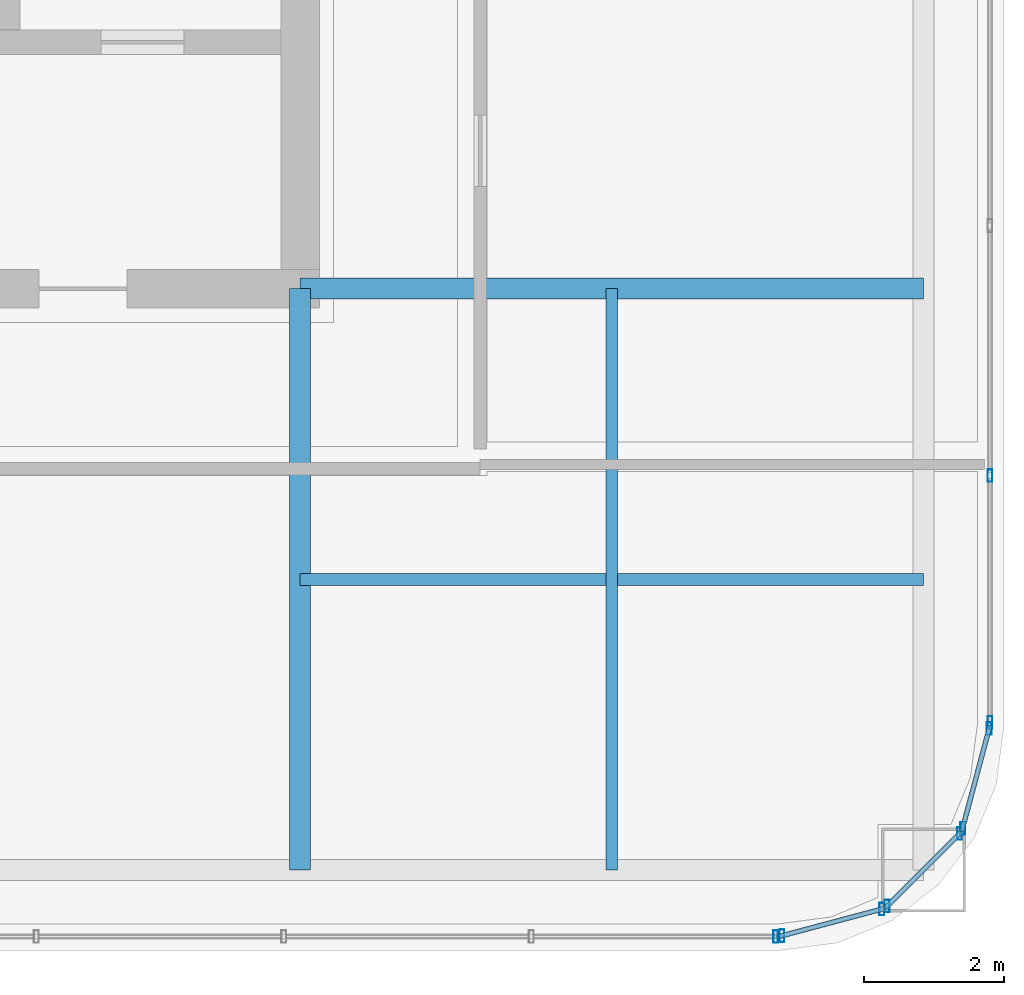
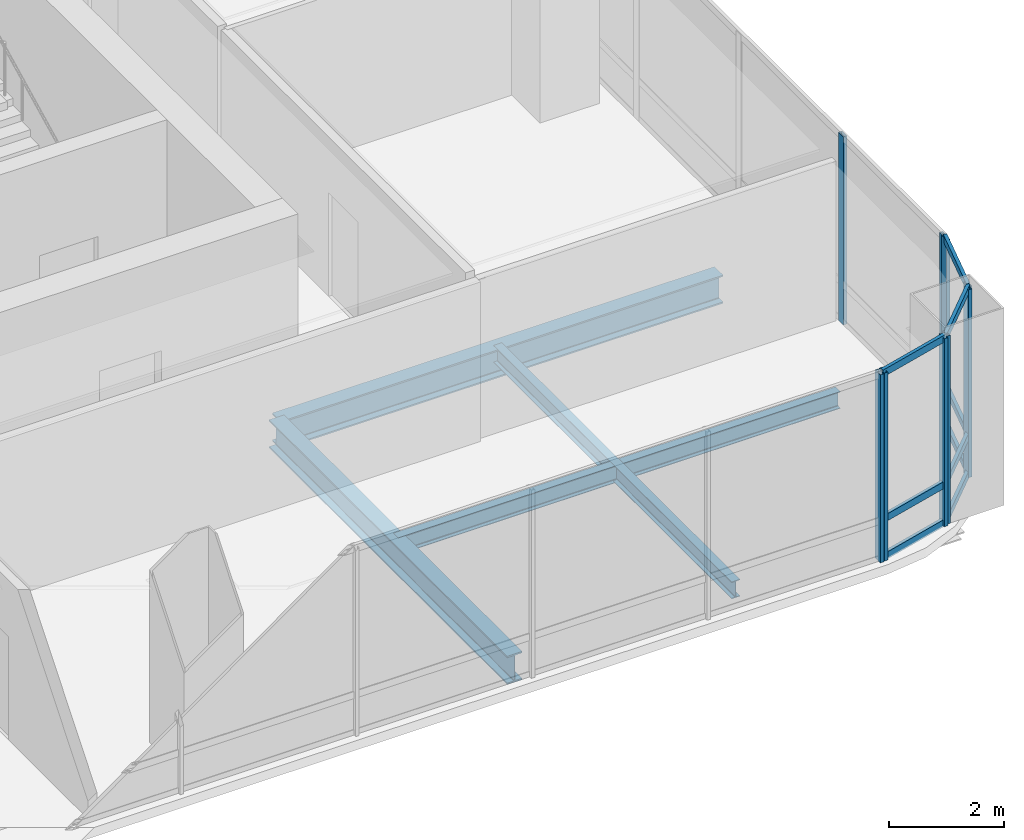
# One storey, part 16 of 41: 18 members, 4 beams, 5 elements without a shape of their own.
"""IFC4 building model written with IfcOpenShell, lengths in metres."""

import ifcopenshell
import ifcopenshell.guid

model = None  # the IFC model being written
_history = None  # IfcOwnerHistory: only IFC2X3 demands one
_inside = {}  # id of a spatial element -> (the spatial element, [elements in it])
_under = {}  # id of a project, library or spatial element -> (it, [spatial elements below it])
_declared = {}  # id of a project -> (the project, [libraries it declares])
_typed = {}  # id of a type object -> (the type object, [elements of that type])
_made_of = {}  # id of a material, layer set ... -> (it, [elements and type objects made of it])


def new_model(schema):
    """Start an empty IFC model of exactly this schema.

    Asked for "IFC4X3", IfcOpenShell would pick the latest addendum, in which some entities
    have other attributes; the version numbers below select the first issue.
    IFC2X3 requires an IfcOwnerHistory on every rooted entity: one is made here for all.
    """
    global model, _history
    if schema == "IFC4X3":
        model = ifcopenshell.file(schema_version=(4, 3, 0, 0))
    else:
        model = ifcopenshell.file(schema=schema)
    _inside.clear()
    _under.clear()
    _declared.clear()
    _typed.clear()
    _made_of.clear()
    _history = None
    if model.schema == "IFC2X3":
        org = make("IfcOrganization", Name="unknown")
        user = make(
            "IfcPersonAndOrganization",
            ThePerson=make("IfcPerson", FamilyName="unknown"),
            TheOrganization=org,
        )
        app = make(
            "IfcApplication",
            ApplicationDeveloper=org,
            Version="unknown",
            ApplicationFullName="unknown",
            ApplicationIdentifier="unknown",
        )
        _history = make(
            "IfcOwnerHistory",
            OwningUser=user,
            OwningApplication=app,
            ChangeAction="ADDED",
            CreationDate=0,
        )
    return model


def make(cls, **values):
    """One entity of the class cls with the attributes given. An attribute that is None is left unset."""
    return model.create_entity(
        cls, **{name: value for name, value in values.items() if value is not None}
    )


def rooted(cls, **values):
    """An entity with a GlobalId (a new one), such as an element, a storey or a relation."""
    return make(cls, GlobalId=ifcopenshell.guid.new(), OwnerHistory=_history, **values)


def si_unit(unit_type, name, prefix=None):
    """IfcSIUnit, for example si_unit("LENGTHUNIT", "METRE", prefix="MILLI")."""
    return make("IfcSIUnit", UnitType=unit_type, Prefix=prefix, Name=name)


def assignment(units):
    """IfcUnitAssignment: the units of a project."""
    return None if units is None else make("IfcUnitAssignment", Units=units)


def point(xyz):
    """IfcCartesianPoint."""
    return None if xyz is None else make("IfcCartesianPoint", Coordinates=xyz)


def direction(xyz):
    """IfcDirection."""
    return None if xyz is None else make("IfcDirection", DirectionRatios=xyz)


def frame(location, z_axis=None, x_axis=None):
    """IfcAxis2Placement3D, a coordinate frame: its origin and axes. An axis left out is left unset."""
    return make(
        "IfcAxis2Placement3D",
        Location=point(location),
        Axis=direction(z_axis),
        RefDirection=direction(x_axis),
    )


def frame_2d(location, x_axis=None):
    """IfcAxis2Placement2D, a coordinate frame in the plane: its origin and x axis."""
    return make(
        "IfcAxis2Placement2D", Location=point(location), RefDirection=direction(x_axis)
    )


def origin():
    """The frame at (0, 0, 0) with its axes left unset."""
    return frame((0.0, 0.0, 0.0))


def origin_2d():
    """The frame at (0, 0) in the plane with its x axis left unset."""
    return frame_2d((0.0, 0.0))


def place(relative_to, where):
    """IfcLocalPlacement: puts the frame where relative to a parent placement (None: the world)."""
    return make(
        "IfcLocalPlacement", PlacementRelTo=relative_to, RelativePlacement=where
    )


def context(
    kind, dimensions, precision=None, world=None, true_north=None, identifier=None
):
    """IfcGeometricRepresentationContext, for example the 3D "Model" context."""
    return make(
        "IfcGeometricRepresentationContext",
        ContextIdentifier=identifier,
        ContextType=kind,
        CoordinateSpaceDimension=dimensions,
        Precision=precision,
        WorldCoordinateSystem=world,
        TrueNorth=true_north,
    )


def subcontext(parent, identifier, kind, view, scale=None):
    """IfcGeometricRepresentationSubContext, for example "Body" below "Model"."""
    return make(
        "IfcGeometricRepresentationSubContext",
        ContextIdentifier=identifier,
        ContextType=kind,
        ParentContext=parent,
        TargetScale=scale,
        TargetView=view,
    )


def project(units=None, contexts=None):
    """IfcProject with its units and contexts."""
    return rooted(
        "IfcProject",
        Name="project",
        RepresentationContexts=contexts,
        UnitsInContext=assignment(units),
    )


def spatial(cls, under=None, at=None, **own):
    """A site, building, storey or space (cls), placed at a placement, below another one or the project."""
    s = rooted(cls, ObjectPlacement=at, **own)
    if under is not None:
        _under.setdefault(under.id(), (under, []))[1].append(s)
    return s


def profile(cls, at=None, kind="AREA", **sizes):
    """A parametric profile (cls). Its sizes go by their IFC names, for example OverallWidth=200.0."""
    return make(cls, ProfileType=kind, Position=at, **sizes)


def hollow_rectangle(**sizes):
    """IfcRectangleHollowProfileDef."""
    return profile("IfcRectangleHollowProfileDef", **sizes)


def i_section(**sizes):
    """IfcIShapeProfileDef."""
    return profile("IfcIShapeProfileDef", **sizes)


def extrude(swept, where, along, depth):
    """IfcExtrudedAreaSolid: the profile swept, set in the frame where, extruded along a direction by depth."""
    return make(
        "IfcExtrudedAreaSolid",
        SweptArea=swept,
        Position=where,
        ExtrudedDirection=direction(along),
        Depth=depth,
    )


def shape(context_of_items, identifier, shape_type, items):
    """IfcShapeRepresentation: the items that make up one representation, for example the "Body"."""
    return make(
        "IfcShapeRepresentation",
        ContextOfItems=context_of_items,
        RepresentationIdentifier=identifier,
        RepresentationType=shape_type,
        Items=items,
    )


def material(Name=None, Category=None):
    """IfcMaterial."""
    return make("IfcMaterial", Name=Name, Category=Category)


def material_profile(
    of_material, cross_section, Name=None, Category=None, Priority=None
):
    """IfcMaterialProfile: a cross section and its material."""
    return make(
        "IfcMaterialProfile",
        Name=Name,
        Material=of_material,
        Profile=cross_section,
        Priority=Priority,
        Category=Category,
    )


def profile_set(profiles, Name=None, composite=None):
    """IfcMaterialProfileSet."""
    return make(
        "IfcMaterialProfileSet",
        Name=Name,
        MaterialProfiles=profiles,
        CompositeProfile=composite,
    )


def made_of(thing, what):
    """Note that an element or type object is made of a material, layer set ...; save() writes the relation."""
    if what is not None:
        _made_of.setdefault(what.id(), (what, []))[1].append(thing)
    return thing


def type_object(cls, material=None, **own):
    """A type object (cls), such as IfcWallType, which elements share."""
    return made_of(rooted(cls, **own), material)


def element(
    cls,
    number,
    at=None,
    inside=None,
    cuts=None,
    type_object=None,
    material=None,
    context=None,
    identifier="Body",
    shape_type=None,
    held_by="IfcProductDefinitionShape",
    body=None,
    shapes=None,
    **own,
):
    """One element of the class cls, such as IfcWall. Its Tag is "e" and its number.

    at: its placement. inside: the storey or other place that contains it. cuts: it is an
    opening in that element (IfcRelVoidsElement). A single representation is given by context,
    identifier, shape_type and body (its items); several are given by shapes. held_by: the class
    of the entity that holds the representations. save() writes the other relations.
    """
    e = rooted(cls, Tag="e%d" % number, ObjectPlacement=at, **own)
    if body is not None:
        shapes = [shape(context, identifier, shape_type, body)]
    if shapes is not None:
        e.Representation = make(held_by, Representations=shapes)
    if inside is not None:
        _inside.setdefault(inside.id(), (inside, []))[1].append(e)
    if cuts is not None:
        rooted(
            "IfcRelVoidsElement", RelatingBuildingElement=cuts, RelatedOpeningElement=e
        )
    if type_object is not None:
        _typed.setdefault(type_object.id(), (type_object, []))[1].append(e)
    return made_of(e, material)


def aggregate(whole, parts):
    """IfcRelAggregates: a whole, such as a stair, and the parts it consists of."""
    return rooted("IfcRelAggregates", RelatingObject=whole, RelatedObjects=parts)


def save(model, path):
    """Write the relations noted so far, then the file.

    IfcRelAggregates (storeys below a building ...), IfcRelContainedInSpatialStructure (elements
    in a storey), IfcRelDefinesByType, IfcRelAssociatesMaterial and IfcRelDeclares: one each for
    every whole, place, type object, material and project.
    """
    for whole, parts in _under.values():
        aggregate(whole, parts)
    for where, things in _inside.values():
        rooted(
            "IfcRelContainedInSpatialStructure",
            RelatedElements=things,
            RelatingStructure=where,
        )
    for kind, things in _typed.values():
        rooted("IfcRelDefinesByType", RelatedObjects=things, RelatingType=kind)
    for what, things in _made_of.values():
        rooted("IfcRelAssociatesMaterial", RelatedObjects=things, RelatingMaterial=what)
    for by, libraries in _declared.values():
        rooted("IfcRelDeclares", RelatingContext=by, RelatedDefinitions=libraries)
    model.write(path)


model = new_model("IFC4")

# Units and contexts
model_context = context("Model", 3, precision=1e-05, world=origin(), true_north=direction((0.0, 1.0)))
body_context = subcontext(model_context, "Body", "Model", "MODEL_VIEW")
ifc_project = project(units=[si_unit("LENGTHUNIT", "METRE"), si_unit("AREAUNIT", "SQUARE_METRE"), si_unit("VOLUMEUNIT", "CUBIC_METRE"), si_unit("PLANEANGLEUNIT", "RADIAN"), si_unit("MASSUNIT", "GRAM", prefix="KILO")], contexts=[model_context])

# Site, building, storey
site_placement = place(None, origin())
site = spatial("IfcSite", under=ifc_project, at=site_placement, CompositionType="ELEMENT")
building_placement = place(site_placement, origin())
building = spatial("IfcBuilding", under=site, at=building_placement, Name="Punatoya Terracotta Tower", CompositionType="ELEMENT")
storey_placement = place(building_placement, frame((0.0, 0.0, 292.199951171875)))
storey = spatial("IfcBuildingStorey", under=building, at=storey_placement, Name="L69", CompositionType="ELEMENT", Elevation=292.199951171875)

# Beams
ifc_material_1 = material(Name="Steel S355", Category="steel")
ifc_material_profile_1 = material_profile(ifc_material_1, i_section(OverallWidth=0.300048828125, OverallDepth=0.60009765625, WebThickness=0.015380859375, FlangeThickness=0.030029296875, FilletRadius=0.01806640625, at=origin_2d()))
ifc_profile_set_1 = profile_set([ifc_material_profile_1], Name="Steel S355")
beam_type_1 = type_object("IfcBeamType", Name="BM-PRI-600", PredefinedType="BEAM", material=ifc_profile_set_1)
beam_1_placement = place(storey_placement, frame((10.199951171875, -9.199951171875, -0.5), z_axis=(1.0, 0.0, 0.0), x_axis=(0.0, 1.0, 0.0)))
element("IfcBeam", 1, at=beam_1_placement, inside=storey, type_object=beam_type_1, Name="BM-L69-PR-ES", PredefinedType="BEAM", context=body_context, shape_type="SweptSolid", body=[
    extrude(i_section(OverallWidth=0.300048828125, OverallDepth=0.60009765625, WebThickness=0.015380859375, FlangeThickness=0.030029296875, FilletRadius=0.01806640625, at=origin_2d()), origin(), (0.0, 0.0, 1.0), 8.900146484375),
])
beam_2_placement = place(storey_placement, frame((10.199951171875, -17.5, -0.5), z_axis=(0.0, 1.0, 0.0), x_axis=(-1.0, 0.0, 0.0)))
element("IfcBeam", 2, at=beam_2_placement, inside=storey, type_object=beam_type_1, Name="BM-L69-PR-S4", PredefinedType="BEAM", context=body_context, shape_type="SweptSolid", body=[
    extrude(i_section(OverallWidth=0.300048828125, OverallDepth=0.60009765625, WebThickness=0.015380859375, FlangeThickness=0.030029296875, FilletRadius=0.01806640625, at=origin_2d()), origin(), (0.0, 0.0, 1.0), 8.300048828125),
])
ifc_material_profile_2 = material_profile(ifc_material_1, i_section(OverallWidth=0.169921875, OverallDepth=0.360107421875, WebThickness=0.008056640625, FlangeThickness=0.0126953125, FilletRadius=0.01806640625, at=origin_2d()))
ifc_profile_set_2 = profile_set([ifc_material_profile_2], Name="Steel S355")
beam_type_2 = type_object("IfcBeamType", Name="BM-SEC-360", PredefinedType="JOIST", material=ifc_profile_set_2)
beam_3_placement = place(storey_placement, frame((10.199951171875, -13.35009765625, -0.3798828125), z_axis=(1.0, 0.0, 0.0), x_axis=(0.0, 1.0, 0.0)))
element("IfcBeam", 3, at=beam_3_placement, inside=storey, type_object=beam_type_2, Name="BM-L69-SJS-2", PredefinedType="JOIST", context=body_context, shape_type="SweptSolid", body=[
    extrude(i_section(OverallWidth=0.169921875, OverallDepth=0.360107421875, WebThickness=0.008056640625, FlangeThickness=0.0126953125, FilletRadius=0.01806640625, at=origin_2d()), origin(), (0.0, 0.0, 1.0), 8.900146484375),
])
beam_4_placement = place(storey_placement, frame((14.64990234375, -17.5, -0.3798828125), z_axis=(0.0, 1.0, 0.0), x_axis=(-1.0, 0.0, 0.0)))
element("IfcBeam", 4, at=beam_4_placement, inside=storey, type_object=beam_type_2, Name="BM-L69-SJE-1", PredefinedType="JOIST", context=body_context, shape_type="SweptSolid", body=[
    extrude(i_section(OverallWidth=0.169921875, OverallDepth=0.360107421875, WebThickness=0.008056640625, FlangeThickness=0.0126953125, FilletRadius=0.01806640625, at=origin_2d()), origin(), (0.0, 0.0, 1.0), 8.300048828125),
])

# Curtain wall, member
ifc_material_2 = material(Name="Aluminium 6063-T6 + Double Low-E Glass", Category="aluminium")
curtain_wall_type = type_object("IfcCurtainWallType", Name="CW-M3", PredefinedType="NOTDEFINED", material=ifc_material_2)
curtain_wall_1_placement = place(storey_placement, origin())
curtain_wall_1 = element("IfcCurtainWall", 5, at=curtain_wall_1_placement, inside=storey, type_object=curtain_wall_type, Name="L69 Curtain Wall CW-L69-S01-1", PredefinedType="NOTDEFINED")
ifc_material_3 = material(Name="Aluminium 6063-T6", Category="aluminium")
ifc_material_profile_3 = material_profile(ifc_material_3, hollow_rectangle(XDim=0.070068359375, YDim=0.179931640625, WallThickness=0.00390625, at=origin_2d()))
ifc_profile_set_3 = profile_set([ifc_material_profile_3], Name="Aluminium 6063-T6")
member_type_1 = type_object("IfcMemberType", Name="CW-MUL-M3", PredefinedType="MULLION", material=ifc_profile_set_3)
member_1_placement = place(storey_placement, frame((16.991943359375, -18.449951171875, 0.0), z_axis=(0.0, 0.0, 1.0), x_axis=(1.0, 0.0, 0.0)))
member_1 = element("IfcMember", 6, at=member_1_placement, type_object=member_type_1, Name="CW-L69-S01-1 Mullion 11", PredefinedType="MULLION", context=body_context, shape_type="SweptSolid", body=[
    extrude(hollow_rectangle(XDim=0.070068359375, YDim=0.179931640625, WallThickness=0.00390625, at=origin_2d()), origin(), (0.0, 0.0, 1.0), 4.0),
])
aggregate(curtain_wall_1, [member_1])

# Curtain wall, members
curtain_wall_2_placement = place(storey_placement, origin())
curtain_wall_2 = element("IfcCurtainWall", 7, at=curtain_wall_2_placement, inside=storey, type_object=curtain_wall_type, Name="L69 Curtain Wall CW-L69-CRN02", PredefinedType="NOTDEFINED")
member_2_placement = place(storey_placement, frame((17.080322265625, -18.4384765625, 0.0), z_axis=(0.0, 0.0, 1.0), x_axis=(1.0, 0.0, 0.0)))
member_2 = element("IfcMember", 8, at=member_2_placement, type_object=member_type_1, Name="CW-L69-CRN02 Mullion 00", PredefinedType="MULLION", context=body_context, shape_type="SweptSolid", body=[
    extrude(hollow_rectangle(XDim=0.070068359375, YDim=0.179931640625, WallThickness=0.00390625, at=origin_2d()), origin(), (0.0, 0.0, 1.0), 4.0),
])
member_3_placement = place(storey_placement, frame((18.505615234375, -18.05810546875, 0.0), z_axis=(0.0, 0.0, 1.0), x_axis=(1.0, 0.0, 0.0)))
member_3 = element("IfcMember", 9, at=member_3_placement, type_object=member_type_1, Name="CW-L69-CRN02 Mullion 01", PredefinedType="MULLION", context=body_context, shape_type="SweptSolid", body=[
    extrude(hollow_rectangle(XDim=0.070068359375, YDim=0.179931640625, WallThickness=0.00390625, at=origin_2d()), origin(), (0.0, 0.0, 1.0), 4.0),
])

curtain_wall_3_placement = place(storey_placement, origin())
curtain_wall_3 = element("IfcCurtainWall", 10, at=curtain_wall_3_placement, inside=storey, type_object=curtain_wall_type, Name="L69 Curtain Wall CW-L69-CRN03", PredefinedType="NOTDEFINED")
member_4_placement = place(storey_placement, frame((18.580810546875, -18.014892578125, 0.0), z_axis=(0.0, 0.0, 1.0), x_axis=(1.0, 0.0, 0.0)))
member_4 = element("IfcMember", 11, at=member_4_placement, type_object=member_type_1, Name="CW-L69-CRN03 Mullion 00", PredefinedType="MULLION", context=body_context, shape_type="SweptSolid", body=[
    extrude(hollow_rectangle(XDim=0.070068359375, YDim=0.179931640625, WallThickness=0.00390625, at=origin_2d()), origin(), (0.0, 0.0, 1.0), 4.0),
])
member_5_placement = place(storey_placement, frame((19.61474609375, -16.98095703125, 0.0), z_axis=(0.0, 0.0, 1.0), x_axis=(1.0, 0.0, 0.0)))
member_5 = element("IfcMember", 12, at=member_5_placement, type_object=member_type_1, Name="CW-L69-CRN03 Mullion 01", PredefinedType="MULLION", context=body_context, shape_type="SweptSolid", body=[
    extrude(hollow_rectangle(XDim=0.070068359375, YDim=0.179931640625, WallThickness=0.00390625, at=origin_2d()), origin(), (0.0, 0.0, 1.0), 4.0),
])

curtain_wall_4_placement = place(storey_placement, origin())
curtain_wall_4 = element("IfcCurtainWall", 13, at=curtain_wall_4_placement, inside=storey, type_object=curtain_wall_type, Name="L69 Curtain Wall CW-L69-CRN04", PredefinedType="NOTDEFINED")
member_6_placement = place(storey_placement, frame((19.658203125, -16.905517578125, 0.0), z_axis=(0.0, 0.0, 1.0), x_axis=(1.0, 0.0, 0.0)))
member_6 = element("IfcMember", 14, at=member_6_placement, type_object=member_type_1, Name="CW-L69-CRN04 Mullion 00", PredefinedType="MULLION", context=body_context, shape_type="SweptSolid", body=[
    extrude(hollow_rectangle(XDim=0.070068359375, YDim=0.179931640625, WallThickness=0.00390625, at=origin_2d()), origin(), (0.0, 0.0, 1.0), 4.0),
])
member_7_placement = place(storey_placement, frame((20.038330078125, -15.48046875, 0.0), z_axis=(0.0, 0.0, 1.0), x_axis=(1.0, 0.0, 0.0)))
member_7 = element("IfcMember", 15, at=member_7_placement, type_object=member_type_1, Name="CW-L69-CRN04 Mullion 01", PredefinedType="MULLION", context=body_context, shape_type="SweptSolid", body=[
    extrude(hollow_rectangle(XDim=0.070068359375, YDim=0.179931640625, WallThickness=0.00390625, at=origin_2d()), origin(), (0.0, 0.0, 1.0), 4.0),
])

curtain_wall_5_placement = place(storey_placement, origin())
curtain_wall_5 = element("IfcCurtainWall", 16, at=curtain_wall_5_placement, inside=storey, type_object=curtain_wall_type, Name="L69 Curtain Wall CW-L69-E05-1", PredefinedType="NOTDEFINED")
member_8_placement = place(storey_placement, frame((20.050048828125, -15.391845703125, 0.0), z_axis=(0.0, 0.0, 1.0), x_axis=(1.0, 0.0, 0.0)))
member_8 = element("IfcMember", 17, at=member_8_placement, type_object=member_type_1, Name="CW-L69-E05-1 Mullion 00", PredefinedType="MULLION", context=body_context, shape_type="SweptSolid", body=[
    extrude(hollow_rectangle(XDim=0.070068359375, YDim=0.179931640625, WallThickness=0.00390625, at=origin_2d()), origin(), (0.0, 0.0, 1.0), 4.0),
])
member_9_placement = place(storey_placement, frame((20.050048828125, -11.869384765625, 0.0), z_axis=(0.0, 0.0, 1.0), x_axis=(1.0, 0.0, 0.0)))
member_9 = element("IfcMember", 18, at=member_9_placement, type_object=member_type_1, Name="CW-L69-E05-1 Mullion 01", PredefinedType="MULLION", context=body_context, shape_type="SweptSolid", body=[
    extrude(hollow_rectangle(XDim=0.070068359375, YDim=0.179931640625, WallThickness=0.00390625, at=origin_2d()), origin(), (0.0, 0.0, 1.0), 4.0),
])
aggregate(curtain_wall_5, [member_8, member_9])

# Member
ifc_material_profile_4 = material_profile(ifc_material_3, hollow_rectangle(XDim=0.068115234375, YDim=0.14990234375, WallThickness=0.00390625, at=origin_2d()))
ifc_profile_set_4 = profile_set([ifc_material_profile_4], Name="Aluminium 6063-T6")
member_type_2 = type_object("IfcMemberType", Name="CW-TRN-TYP", PredefinedType="USERDEFINED", material=ifc_profile_set_4)
member_10_placement = place(storey_placement, frame((17.036865234375, -18.449951171875, 0.0400390625), z_axis=(0.966224582397, 0.257701486942, 0.0), x_axis=(-0.257701486942, 0.966224582397, 0.0)))
member_10 = element("IfcMember", 19, at=member_10_placement, type_object=member_type_2, Name="CW-L69-CRN02 Transom 1", ObjectType="TRANSOM", PredefinedType="USERDEFINED", context=body_context, shape_type="SweptSolid", body=[
    extrude(hollow_rectangle(XDim=0.068115234375, YDim=0.14990234375, WallThickness=0.00390625, at=origin_2d()), origin(), (0.0, 0.0, 1.0), 1.565185546875),
])

member_11_placement = place(storey_placement, frame((17.036865234375, -18.449951171875, 0.85009765625), z_axis=(0.966224582397, 0.257701486942, 0.0), x_axis=(-0.257701486942, 0.966224582397, 0.0)))
member_11 = element("IfcMember", 20, at=member_11_placement, type_object=member_type_2, Name="CW-L69-CRN02 Transom 2", ObjectType="TRANSOM", PredefinedType="USERDEFINED", context=body_context, shape_type="SweptSolid", body=[
    extrude(hollow_rectangle(XDim=0.068115234375, YDim=0.14990234375, WallThickness=0.00390625, at=origin_2d()), origin(), (0.0, 0.0, 1.0), 1.565185546875),
])

member_12_placement = place(storey_placement, frame((17.036865234375, -18.449951171875, 3.9599609375), z_axis=(0.966224582397, 0.257701486942, 0.0), x_axis=(-0.257701486942, 0.966224582397, 0.0)))
member_12 = element("IfcMember", 21, at=member_12_placement, type_object=member_type_2, Name="CW-L69-CRN02 Transom 3", ObjectType="TRANSOM", PredefinedType="USERDEFINED", context=body_context, shape_type="SweptSolid", body=[
    extrude(hollow_rectangle(XDim=0.068115234375, YDim=0.14990234375, WallThickness=0.00390625, at=origin_2d()), origin(), (0.0, 0.0, 1.0), 1.565185546875),
])

aggregate(curtain_wall_2, [member_2, member_3, member_10, member_11, member_12])

member_13_placement = place(storey_placement, frame((18.549072265625, -18.046630859375, 0.0400390625), z_axis=(0.707106781187, 0.707106781187, 0.0), x_axis=(-0.707106781187, 0.707106781187, 0.0)))
member_13 = element("IfcMember", 22, at=member_13_placement, type_object=member_type_2, Name="CW-L69-CRN03 Transom 1", ObjectType="TRANSOM", PredefinedType="USERDEFINED", context=body_context, shape_type="SweptSolid", body=[
    extrude(hollow_rectangle(XDim=0.068115234375, YDim=0.14990234375, WallThickness=0.00390625, at=origin_2d()), origin(), (0.0, 0.0, 1.0), 1.552001953125),
])

member_14_placement = place(storey_placement, frame((18.549072265625, -18.046630859375, 0.85009765625), z_axis=(0.707106781187, 0.707106781187, 0.0), x_axis=(-0.707106781187, 0.707106781187, 0.0)))
member_14 = element("IfcMember", 23, at=member_14_placement, type_object=member_type_2, Name="CW-L69-CRN03 Transom 2", ObjectType="TRANSOM", PredefinedType="USERDEFINED", context=body_context, shape_type="SweptSolid", body=[
    extrude(hollow_rectangle(XDim=0.068115234375, YDim=0.14990234375, WallThickness=0.00390625, at=origin_2d()), origin(), (0.0, 0.0, 1.0), 1.552001953125),
])

member_15_placement = place(storey_placement, frame((18.549072265625, -18.046630859375, 3.9599609375), z_axis=(0.707106781187, 0.707106781187, 0.0), x_axis=(-0.707106781187, 0.707106781187, 0.0)))
member_15 = element("IfcMember", 24, at=member_15_placement, type_object=member_type_2, Name="CW-L69-CRN03 Transom 3", ObjectType="TRANSOM", PredefinedType="USERDEFINED", context=body_context, shape_type="SweptSolid", body=[
    extrude(hollow_rectangle(XDim=0.068115234375, YDim=0.14990234375, WallThickness=0.00390625, at=origin_2d()), origin(), (0.0, 0.0, 1.0), 1.552001953125),
])

aggregate(curtain_wall_3, [member_4, member_5, member_13, member_14, member_15])

member_16_placement = place(storey_placement, frame((19.646484375, -16.94921875, 0.0400390625), z_axis=(0.257847112249, 0.966185730957, 0.0), x_axis=(-0.966185730957, 0.257847112249, 0.0)))
member_16 = element("IfcMember", 25, at=member_16_placement, type_object=member_type_2, Name="CW-L69-CRN04 Transom 1", ObjectType="TRANSOM", PredefinedType="USERDEFINED", context=body_context, shape_type="SweptSolid", body=[
    extrude(hollow_rectangle(XDim=0.068115234375, YDim=0.14990234375, WallThickness=0.00390625, at=origin_2d()), origin(), (0.0, 0.0, 1.0), 1.565185546875),
])

member_17_placement = place(storey_placement, frame((19.646484375, -16.94921875, 0.85009765625), z_axis=(0.257847112249, 0.966185730957, 0.0), x_axis=(-0.966185730957, 0.257847112249, 0.0)))
member_17 = element("IfcMember", 26, at=member_17_placement, type_object=member_type_2, Name="CW-L69-CRN04 Transom 2", ObjectType="TRANSOM", PredefinedType="USERDEFINED", context=body_context, shape_type="SweptSolid", body=[
    extrude(hollow_rectangle(XDim=0.068115234375, YDim=0.14990234375, WallThickness=0.00390625, at=origin_2d()), origin(), (0.0, 0.0, 1.0), 1.565185546875),
])

member_18_placement = place(storey_placement, frame((19.646484375, -16.94921875, 3.9599609375), z_axis=(0.257847112249, 0.966185730957, 0.0), x_axis=(-0.966185730957, 0.257847112249, 0.0)))
member_18 = element("IfcMember", 27, at=member_18_placement, type_object=member_type_2, Name="CW-L69-CRN04 Transom 3", ObjectType="TRANSOM", PredefinedType="USERDEFINED", context=body_context, shape_type="SweptSolid", body=[
    extrude(hollow_rectangle(XDim=0.068115234375, YDim=0.14990234375, WallThickness=0.00390625, at=origin_2d()), origin(), (0.0, 0.0, 1.0), 1.565185546875),
])

aggregate(curtain_wall_4, [member_6, member_7, member_16, member_17, member_18])

save(model, "model.ifc")
